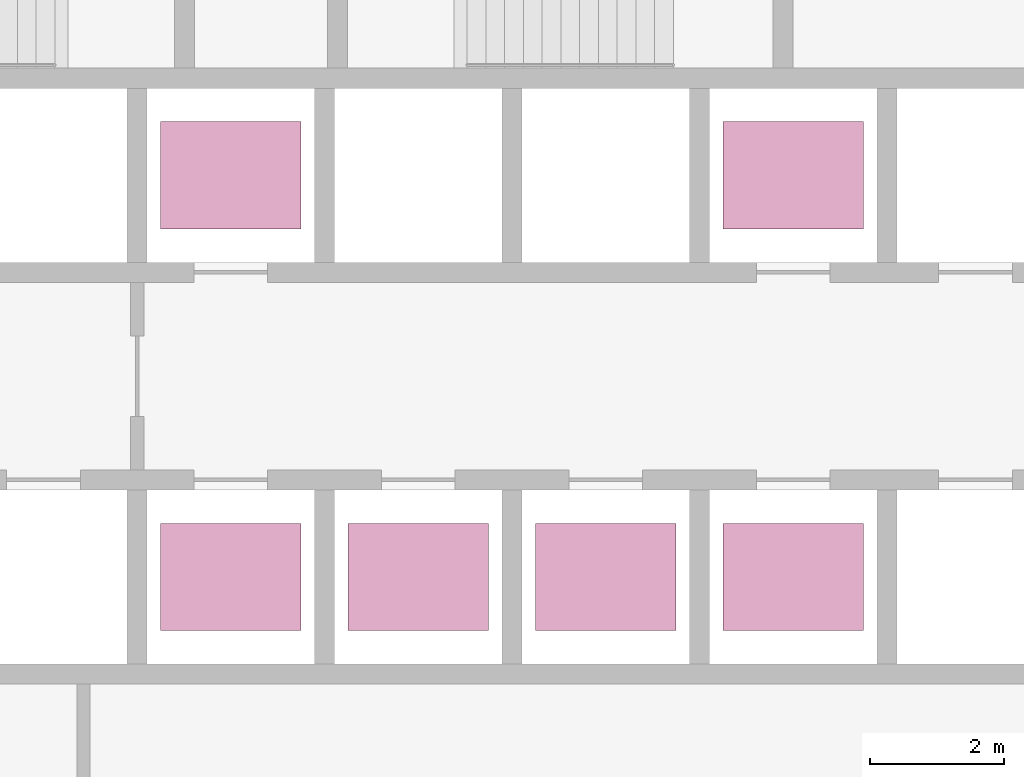
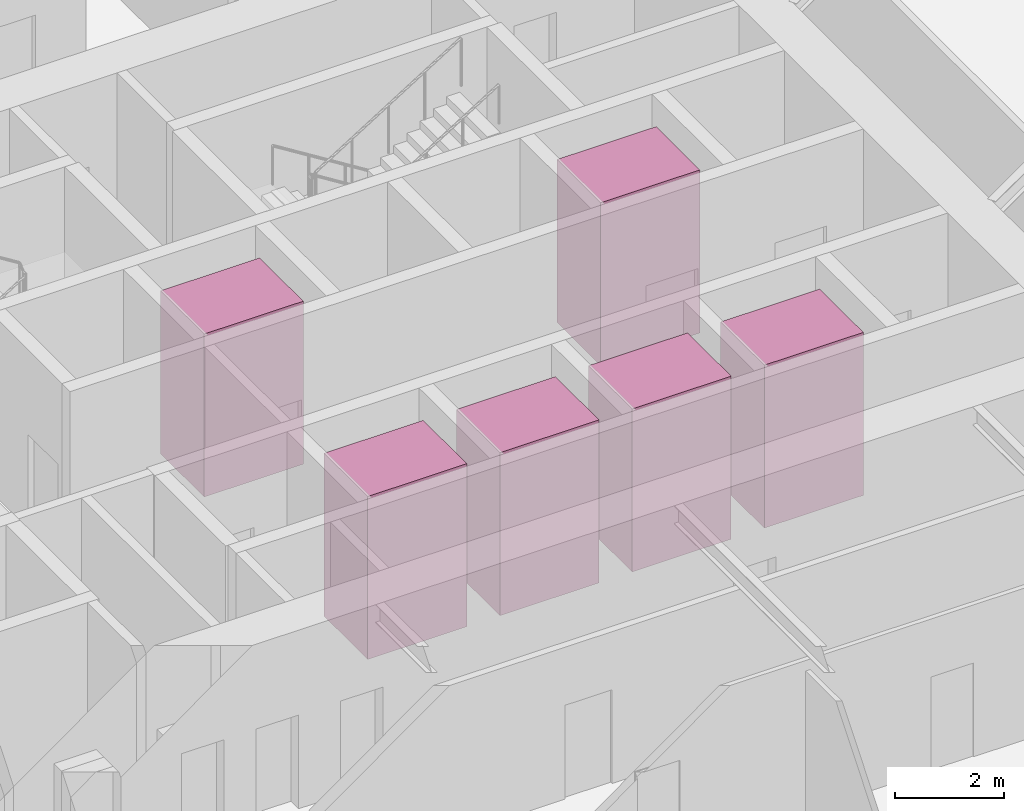
# One storey, part 21 of 21: 6 transport elements.
"""IFC4 building model written with IfcOpenShell, lengths in metres."""

import ifcopenshell
import ifcopenshell.guid

model = None  # the IFC model being written
_history = None  # IfcOwnerHistory: only IFC2X3 demands one
_inside = {}  # id of a spatial element -> (the spatial element, [elements in it])
_under = {}  # id of a project, library or spatial element -> (it, [spatial elements below it])
_declared = {}  # id of a project -> (the project, [libraries it declares])
_typed = {}  # id of a type object -> (the type object, [elements of that type])
_made_of = {}  # id of a material, layer set ... -> (it, [elements and type objects made of it])


def new_model(schema):
    """Start an empty IFC model of exactly this schema.

    Asked for "IFC4X3", IfcOpenShell would pick the latest addendum, in which some entities
    have other attributes; the version numbers below select the first issue.
    IFC2X3 requires an IfcOwnerHistory on every rooted entity: one is made here for all.
    """
    global model, _history
    if schema == "IFC4X3":
        model = ifcopenshell.file(schema_version=(4, 3, 0, 0))
    else:
        model = ifcopenshell.file(schema=schema)
    _inside.clear()
    _under.clear()
    _declared.clear()
    _typed.clear()
    _made_of.clear()
    _history = None
    if model.schema == "IFC2X3":
        org = make("IfcOrganization", Name="unknown")
        user = make(
            "IfcPersonAndOrganization",
            ThePerson=make("IfcPerson", FamilyName="unknown"),
            TheOrganization=org,
        )
        app = make(
            "IfcApplication",
            ApplicationDeveloper=org,
            Version="unknown",
            ApplicationFullName="unknown",
            ApplicationIdentifier="unknown",
        )
        _history = make(
            "IfcOwnerHistory",
            OwningUser=user,
            OwningApplication=app,
            ChangeAction="ADDED",
            CreationDate=0,
        )
    return model


def make(cls, **values):
    """One entity of the class cls with the attributes given. An attribute that is None is left unset."""
    return model.create_entity(
        cls, **{name: value for name, value in values.items() if value is not None}
    )


def rooted(cls, **values):
    """An entity with a GlobalId (a new one), such as an element, a storey or a relation."""
    return make(cls, GlobalId=ifcopenshell.guid.new(), OwnerHistory=_history, **values)


def si_unit(unit_type, name, prefix=None):
    """IfcSIUnit, for example si_unit("LENGTHUNIT", "METRE", prefix="MILLI")."""
    return make("IfcSIUnit", UnitType=unit_type, Prefix=prefix, Name=name)


def assignment(units):
    """IfcUnitAssignment: the units of a project."""
    return None if units is None else make("IfcUnitAssignment", Units=units)


def point(xyz):
    """IfcCartesianPoint."""
    return None if xyz is None else make("IfcCartesianPoint", Coordinates=xyz)


def direction(xyz):
    """IfcDirection."""
    return None if xyz is None else make("IfcDirection", DirectionRatios=xyz)


def frame(location, z_axis=None, x_axis=None):
    """IfcAxis2Placement3D, a coordinate frame: its origin and axes. An axis left out is left unset."""
    return make(
        "IfcAxis2Placement3D",
        Location=point(location),
        Axis=direction(z_axis),
        RefDirection=direction(x_axis),
    )


def frame_2d(location, x_axis=None):
    """IfcAxis2Placement2D, a coordinate frame in the plane: its origin and x axis."""
    return make(
        "IfcAxis2Placement2D", Location=point(location), RefDirection=direction(x_axis)
    )


def origin():
    """The frame at (0, 0, 0) with its axes left unset."""
    return frame((0.0, 0.0, 0.0))


def origin_2d():
    """The frame at (0, 0) in the plane with its x axis left unset."""
    return frame_2d((0.0, 0.0))


def place(relative_to, where):
    """IfcLocalPlacement: puts the frame where relative to a parent placement (None: the world)."""
    return make(
        "IfcLocalPlacement", PlacementRelTo=relative_to, RelativePlacement=where
    )


def context(
    kind, dimensions, precision=None, world=None, true_north=None, identifier=None
):
    """IfcGeometricRepresentationContext, for example the 3D "Model" context."""
    return make(
        "IfcGeometricRepresentationContext",
        ContextIdentifier=identifier,
        ContextType=kind,
        CoordinateSpaceDimension=dimensions,
        Precision=precision,
        WorldCoordinateSystem=world,
        TrueNorth=true_north,
    )


def subcontext(parent, identifier, kind, view, scale=None):
    """IfcGeometricRepresentationSubContext, for example "Body" below "Model"."""
    return make(
        "IfcGeometricRepresentationSubContext",
        ContextIdentifier=identifier,
        ContextType=kind,
        ParentContext=parent,
        TargetScale=scale,
        TargetView=view,
    )


def project(units=None, contexts=None):
    """IfcProject with its units and contexts."""
    return rooted(
        "IfcProject",
        Name="project",
        RepresentationContexts=contexts,
        UnitsInContext=assignment(units),
    )


def spatial(cls, under=None, at=None, **own):
    """A site, building, storey or space (cls), placed at a placement, below another one or the project."""
    s = rooted(cls, ObjectPlacement=at, **own)
    if under is not None:
        _under.setdefault(under.id(), (under, []))[1].append(s)
    return s


def profile(cls, at=None, kind="AREA", **sizes):
    """A parametric profile (cls). Its sizes go by their IFC names, for example OverallWidth=200.0."""
    return make(cls, ProfileType=kind, Position=at, **sizes)


def rectangle(**sizes):
    """IfcRectangleProfileDef."""
    return profile("IfcRectangleProfileDef", **sizes)


def extrude(swept, where, along, depth):
    """IfcExtrudedAreaSolid: the profile swept, set in the frame where, extruded along a direction by depth."""
    return make(
        "IfcExtrudedAreaSolid",
        SweptArea=swept,
        Position=where,
        ExtrudedDirection=direction(along),
        Depth=depth,
    )


def shape(context_of_items, identifier, shape_type, items):
    """IfcShapeRepresentation: the items that make up one representation, for example the "Body"."""
    return make(
        "IfcShapeRepresentation",
        ContextOfItems=context_of_items,
        RepresentationIdentifier=identifier,
        RepresentationType=shape_type,
        Items=items,
    )


def material(Name=None, Category=None):
    """IfcMaterial."""
    return make("IfcMaterial", Name=Name, Category=Category)


def made_of(thing, what):
    """Note that an element or type object is made of a material, layer set ...; save() writes the relation."""
    if what is not None:
        _made_of.setdefault(what.id(), (what, []))[1].append(thing)
    return thing


def type_object(cls, material=None, **own):
    """A type object (cls), such as IfcWallType, which elements share."""
    return made_of(rooted(cls, **own), material)


def element(
    cls,
    number,
    at=None,
    inside=None,
    cuts=None,
    type_object=None,
    material=None,
    context=None,
    identifier="Body",
    shape_type=None,
    held_by="IfcProductDefinitionShape",
    body=None,
    shapes=None,
    **own,
):
    """One element of the class cls, such as IfcWall. Its Tag is "e" and its number.

    at: its placement. inside: the storey or other place that contains it. cuts: it is an
    opening in that element (IfcRelVoidsElement). A single representation is given by context,
    identifier, shape_type and body (its items); several are given by shapes. held_by: the class
    of the entity that holds the representations. save() writes the other relations.
    """
    e = rooted(cls, Tag="e%d" % number, ObjectPlacement=at, **own)
    if body is not None:
        shapes = [shape(context, identifier, shape_type, body)]
    if shapes is not None:
        e.Representation = make(held_by, Representations=shapes)
    if inside is not None:
        _inside.setdefault(inside.id(), (inside, []))[1].append(e)
    if cuts is not None:
        rooted(
            "IfcRelVoidsElement", RelatingBuildingElement=cuts, RelatedOpeningElement=e
        )
    if type_object is not None:
        _typed.setdefault(type_object.id(), (type_object, []))[1].append(e)
    return made_of(e, material)


def aggregate(whole, parts):
    """IfcRelAggregates: a whole, such as a stair, and the parts it consists of."""
    return rooted("IfcRelAggregates", RelatingObject=whole, RelatedObjects=parts)


def save(model, path):
    """Write the relations noted so far, then the file.

    IfcRelAggregates (storeys below a building ...), IfcRelContainedInSpatialStructure (elements
    in a storey), IfcRelDefinesByType, IfcRelAssociatesMaterial and IfcRelDeclares: one each for
    every whole, place, type object, material and project.
    """
    for whole, parts in _under.values():
        aggregate(whole, parts)
    for where, things in _inside.values():
        rooted(
            "IfcRelContainedInSpatialStructure",
            RelatedElements=things,
            RelatingStructure=where,
        )
    for kind, things in _typed.values():
        rooted("IfcRelDefinesByType", RelatedObjects=things, RelatingType=kind)
    for what, things in _made_of.values():
        rooted("IfcRelAssociatesMaterial", RelatedObjects=things, RelatingMaterial=what)
    for by, libraries in _declared.values():
        rooted("IfcRelDeclares", RelatingContext=by, RelatedDefinitions=libraries)
    model.write(path)


model = new_model("IFC4")

# Units and contexts
model_context = context("Model", 3, precision=1e-05, world=origin(), true_north=direction((0.0, 1.0)))
body_context = subcontext(model_context, "Body", "Model", "MODEL_VIEW")
ifc_project = project(units=[si_unit("LENGTHUNIT", "METRE"), si_unit("AREAUNIT", "SQUARE_METRE"), si_unit("VOLUMEUNIT", "CUBIC_METRE"), si_unit("PLANEANGLEUNIT", "RADIAN"), si_unit("MASSUNIT", "GRAM", prefix="KILO")], contexts=[model_context])

# Site, building, storey
site_placement = place(None, origin())
site = spatial("IfcSite", under=ifc_project, at=site_placement, CompositionType="ELEMENT")
building_placement = place(site_placement, origin())
building = spatial("IfcBuilding", under=site, at=building_placement, Name="Firuza Gate Tower and Library", CompositionType="ELEMENT")
storey_placement = place(building_placement, frame((0.0, 0.0, 69.39990234375)))
storey = spatial("IfcBuildingStorey", under=building, at=storey_placement, Name="L15", CompositionType="ELEMENT", Elevation=69.39990234375)

# Transport elements
ifc_material = material(Name="Stainless steel and glass", Category="steel")
transport_element_type = type_object("IfcTransportElementType", Name="Low-rise lift car 2100x1600", PredefinedType="ELEVATOR", material=ifc_material)
for number, where, z_axis, x_axis, name in (
    (1, (74.64990234375, 70.300048828125, 0.000244140625), (0.0, 0.0, 1.0), (1.0, 0.0, 0.0), "Low-rise lift LR1"),
    (2, (77.449951171875, 70.300048828125, 0.000244140625), (0.0, 0.0, 1.0), (1.0, 0.0, 0.0), "Low-rise lift LR2"),
    (3, (80.25, 70.300048828125, 0.000244140625), (0.0, 0.0, 1.0), (1.0, 0.0, 0.0), "Low-rise lift LR3"),
    (4, (74.64990234375, 76.300048828125, 0.000244140625), (0.0, 0.0, 1.0), (1.0, 0.0, 0.0), "Low-rise lift LR4"),
    (5, (83.050048828125, 70.300048828125, 0.000244140625), (0.0, 0.0, 1.0), (1.0, 0.0, 0.0), "Low-rise lift LR5"),
    (6, (83.050048828125, 76.300048828125, 0.000244140625), (0.0, 0.0, 1.0), (1.0, 0.0, 0.0), "Low-rise lift LR6"),
):
    element("IfcTransportElement", number, at=place(storey_placement, frame(where, z_axis=z_axis, x_axis=x_axis)), inside=storey, type_object=transport_element_type, Name=name, PredefinedType="ELEVATOR", context=body_context, shape_type="SweptSolid", body=[
        extrude(rectangle(XDim=2.10009765625, YDim=1.60009765625, at=origin_2d()), origin(), (0.0, 0.0, 1.0), 3.64990234375),
    ])

save(model, "model.ifc")
